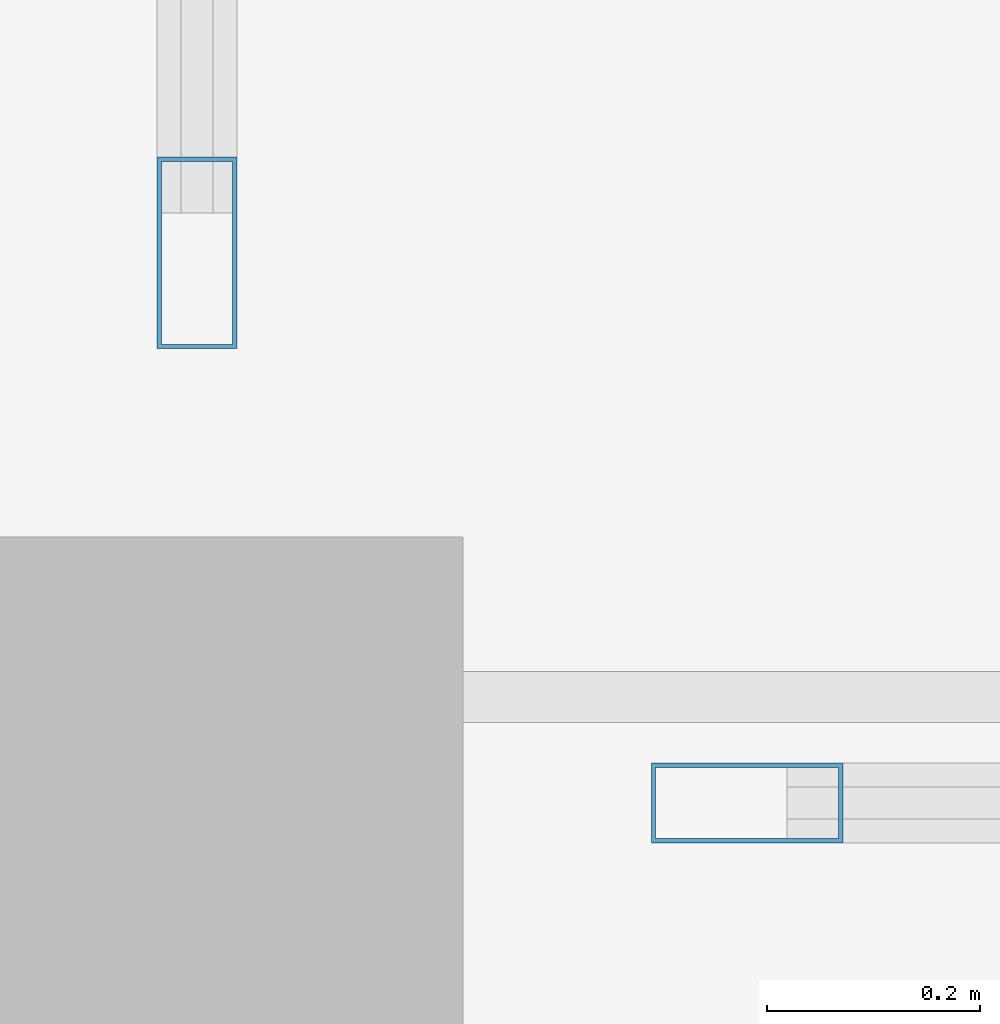
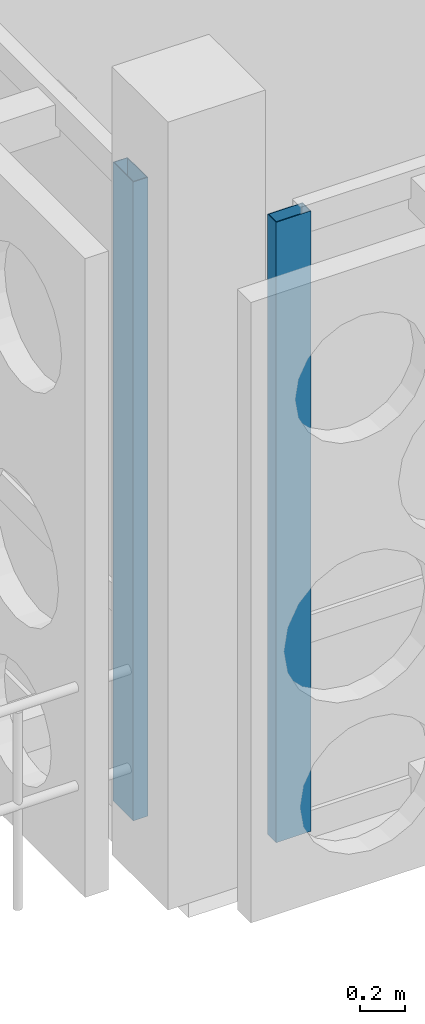
# One storey, part 33 of 171: 2 members, 2 elements without a shape of their own.
"""IFC4 building model written with IfcOpenShell, lengths in metres."""

from ifc_helpers import new_model, si_unit, direction, frame, origin, origin_2d, place, context, subcontext, project, spatial, hollow_rectangle, extrude, material, material_profile, profile_set, type_object, element, aggregate, save


model = new_model("IFC4")

# Units and contexts
model_context = context("Model", 3, precision=1e-05, world=origin(), true_north=direction((0.0, 1.0)))
body_context = subcontext(model_context, "Body", "Model", "MODEL_VIEW")
ifc_project = project(units=[si_unit("LENGTHUNIT", "METRE"), si_unit("AREAUNIT", "SQUARE_METRE"), si_unit("VOLUMEUNIT", "CUBIC_METRE"), si_unit("PLANEANGLEUNIT", "RADIAN"), si_unit("MASSUNIT", "GRAM", prefix="KILO")], contexts=[model_context])

# Site, building, storey
site_placement = place(None, origin())
site = spatial("IfcSite", under=ifc_project, at=site_placement, CompositionType="ELEMENT")
building_placement = place(site_placement, origin())
building = spatial("IfcBuilding", under=site, at=building_placement, Name="Aldebral Square Health Centre", CompositionType="ELEMENT")
storey_placement = place(building_placement, frame((0.0, 0.0, 4.5)))
storey = spatial("IfcBuildingStorey", under=building, at=storey_placement, Name="L01", CompositionType="ELEMENT", Elevation=4.5)

# Curtain wall, member
ifc_material_1 = material(Name="Aluminium and low-E solar glass", Category="aluminium")
curtain_wall_type = type_object("IfcCurtainWallType", Name="CW-HALL-SYS", PredefinedType="USERDEFINED", material=ifc_material_1)
curtain_wall_1_placement = place(storey_placement, origin())
curtain_wall_1 = element("IfcCurtainWall", 1, at=curtain_wall_1_placement, inside=storey, type_object=curtain_wall_type, Name="L01 V1 hall curtain wall L01-V1-13-13-S", ObjectType="HALL_CURTAIN_WALL", PredefinedType="USERDEFINED")
ifc_material_2 = material(Name="Anodised aluminium mullion", Category="aluminium")
ifc_material_profile = material_profile(ifc_material_2, hollow_rectangle(XDim=0.074951171875, YDim=0.179931640625, WallThickness=0.00390625, at=origin_2d()), Name="CWM 75x180x4")
ifc_profile_set = profile_set([ifc_material_profile], Name="Anodised aluminium mullion")
member_type = type_object("IfcMemberType", Name="CWM-STD", PredefinedType="MULLION", material=ifc_profile_set)
member_1_placement = place(storey_placement, frame((94.117431640625, 93.60009765625, 0.0), z_axis=(0.0, 0.0, 1.0), x_axis=(0.0, 1.0, 0.0)))
member_1 = element("IfcMember", 2, at=member_1_placement, type_object=member_type, Name="CW2 mullion 1", PredefinedType="MULLION", context=body_context, shape_type="SweptSolid", body=[
    extrude(hollow_rectangle(XDim=0.074951171875, YDim=0.179931640625, WallThickness=0.00390625, at=origin_2d()), origin(), (0.0, 0.0, 1.0), 3.3701171875),
])
aggregate(curtain_wall_1, [member_1])

curtain_wall_2_placement = place(storey_placement, origin())
curtain_wall_2 = element("IfcCurtainWall", 3, at=curtain_wall_2_placement, inside=storey, type_object=curtain_wall_type, Name="L01 V1 hall curtain wall L01-V1-13-13-W", ObjectType="HALL_CURTAIN_WALL", PredefinedType="USERDEFINED")
member_2_placement = place(storey_placement, frame((93.60009765625, 94.117431640625, 0.0), z_axis=(0.0, 0.0, 1.0), x_axis=(1.0, 0.0, 0.0)))
member_2 = element("IfcMember", 4, at=member_2_placement, type_object=member_type, Name="CW2 mullion 5", PredefinedType="MULLION", context=body_context, shape_type="SweptSolid", body=[
    extrude(hollow_rectangle(XDim=0.074951171875, YDim=0.179931640625, WallThickness=0.00390625, at=origin_2d()), origin(), (0.0, 0.0, 1.0), 3.469970703125),
])
aggregate(curtain_wall_2, [member_2])

save(model, "model.ifc")
